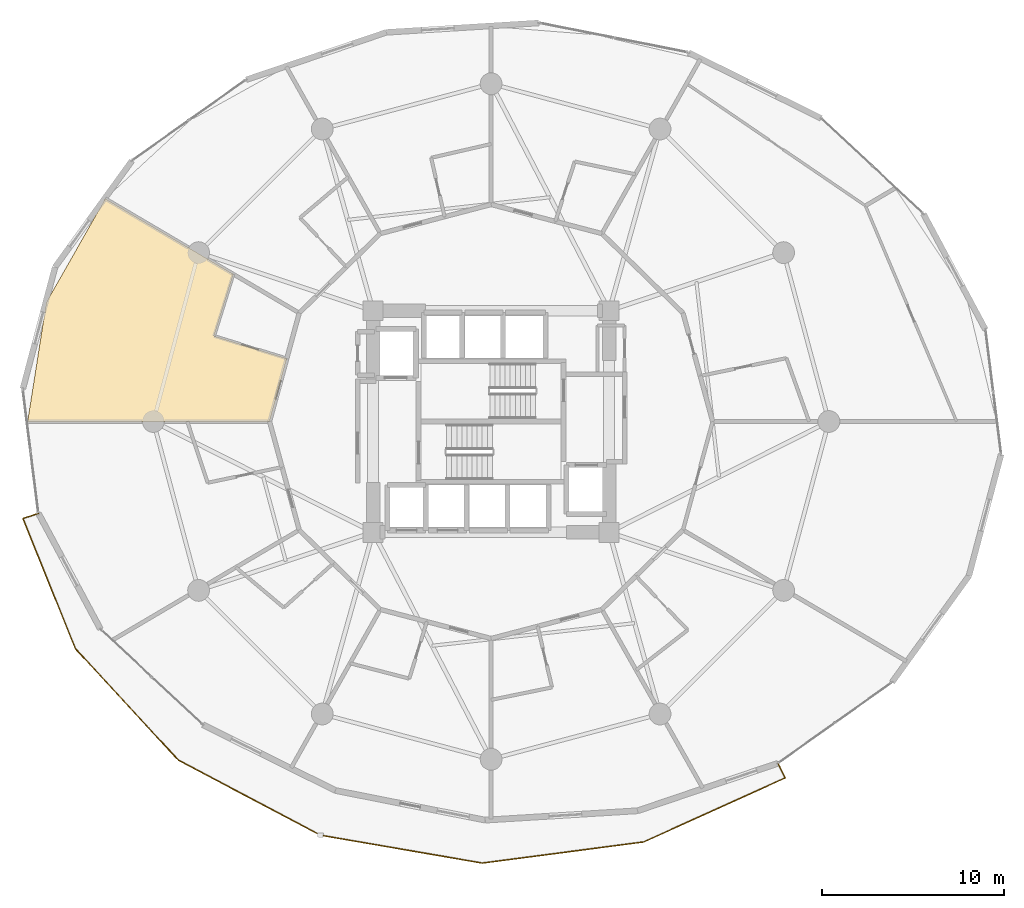
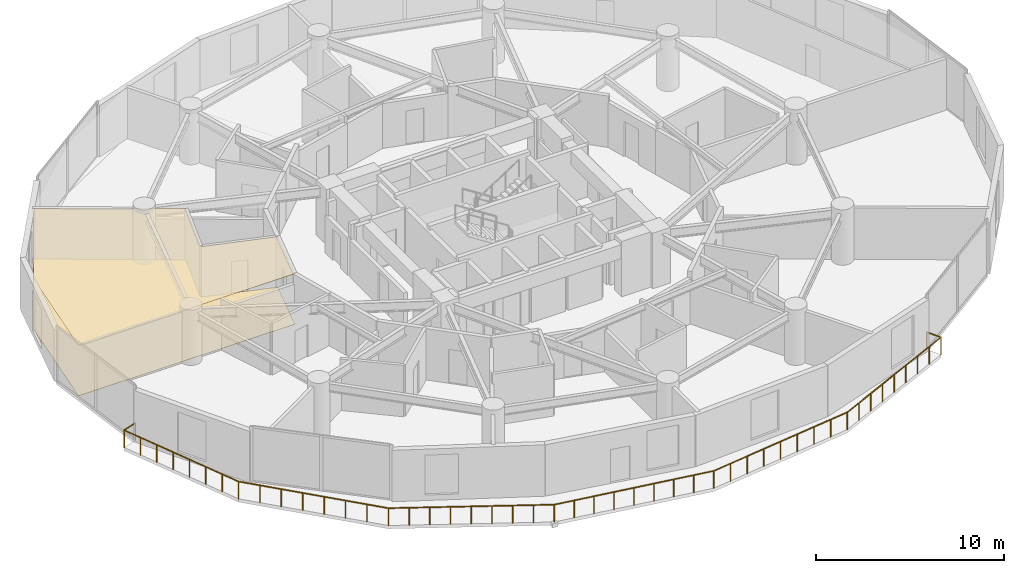
# One storey, part 24 of 26: 2 coverings, 1 railing.
"""IFC4 building model written with IfcOpenShell, lengths in metres."""

from ifc_helpers import new_model, si_unit, direction, frame, origin, origin_2d, place, context, subcontext, project, spatial, polyline, circle, outline, extrude, material, layer, layer_set, type_object, element, save


model = new_model("IFC4")

# Units and contexts
model_context = context("Model", 3, precision=1e-05, world=origin(), true_north=direction((0.0, 1.0)))
body_context = subcontext(model_context, "Body", "Model", "MODEL_VIEW")
ifc_project = project(units=[si_unit("LENGTHUNIT", "METRE"), si_unit("AREAUNIT", "SQUARE_METRE"), si_unit("VOLUMEUNIT", "CUBIC_METRE"), si_unit("PLANEANGLEUNIT", "RADIAN"), si_unit("MASSUNIT", "GRAM", prefix="KILO")], contexts=[model_context])

# Site, building, storey
site_placement = place(None, origin())
site = spatial("IfcSite", under=ifc_project, at=site_placement, CompositionType="ELEMENT")
building_placement = place(site_placement, origin())
building = spatial("IfcBuilding", under=site, at=building_placement, Name="Solvirekh Grand Hotel", CompositionType="ELEMENT")
storey_placement = place(building_placement, frame((0.0, 0.0, 32.0)))
storey = spatial("IfcBuildingStorey", under=building, at=storey_placement, Name="L06", CompositionType="ELEMENT", Elevation=32.0)

# Coverings
ifc_material_1 = material(Name="Acoustic Mineral Ceiling Tile")
ifc_layer_1 = layer(ifc_material_1, 0.02490234375)
ifc_layer_set_1 = layer_set([ifc_layer_1], Name="Acoustic Mineral Ceiling Tile")
covering_type_1 = type_object("IfcCoveringType", Name="Cov_Ceiling_Acoustic", PredefinedType="CEILING", material=ifc_layer_set_1)
covering_1_placement = place(storey_placement, frame((0.0, 0.0, 3.2900390625)))
element("IfcCovering", 1, at=covering_1_placement, inside=storey, type_object=covering_type_1, Name="L06 Deluxe Guestroom 0805 acoustic ceiling", PredefinedType="CEILING", context=body_context, shape_type="SweptSolid", body=[
    extrude(outline(polyline([(-15.260986328125, 4.7060546875), (-14.197021484375, 8.114013671875), (-21.24609375, 12.26611328125), (-24.489013671875, 6.56201171875), (-25.52197265625, 0.0), (-12.199951171875, 0.0), (-11.251953125, 3.466064453125), (-15.260986328125, 4.7060546875)])), origin(), (0.0, 0.0, 1.0), 0.01806640625),
])
ifc_material_2 = material(Name="Porcelain Stoneware Flooring", Category="masonry")
ifc_layer_2 = layer(ifc_material_2, 0.030029296875)
ifc_layer_set_2 = layer_set([ifc_layer_2], Name="Porcelain Stoneware Flooring")
covering_type_2 = type_object("IfcCoveringType", Name="Cov_Floor_Stone", PredefinedType="FLOORING", material=ifc_layer_set_2)
covering_2_placement = place(storey_placement, origin())
element("IfcCovering", 2, at=covering_2_placement, inside=storey, type_object=covering_type_2, Name="L06 Deluxe Guestroom 0805 polished granite flooring", PredefinedType="FLOORING", context=body_context, shape_type="SweptSolid", body=[
    extrude(outline(polyline([(-15.260986328125, 4.7060546875), (-14.197021484375, 8.114013671875), (-21.24609375, 12.26611328125), (-24.489013671875, 6.56201171875), (-25.52197265625, 0.0), (-12.199951171875, 0.0), (-11.251953125, 3.466064453125), (-15.260986328125, 4.7060546875)])), origin(), (0.0, 0.0, 1.0), 0.02001953125),
])

# Railing
ifc_material_3 = material(Name="Anodized Bronze Aluminium 6063-T6", Category="aluminium")
railing_type = type_object("IfcRailingType", Name="Guard_ExtGlass_1150", PredefinedType="BALUSTRADE", material=ifc_material_3)
railing_placement = place(storey_placement, frame((-24.926025390625, -5.06298828125, 0.0)))
element("IfcRailing", 3, at=railing_placement, inside=storey, type_object=railing_type, Name="L06 balc perimeter glass balustrade", PredefinedType="BALUSTRADE", context=body_context, shape_type="SweptSolid", body=[
    extrude(circle(Radius=0.02392578125, at=origin_2d()), frame((0.0, 0.0, 1.1259765625), z_axis=(-0.951491208956, -0.307675932241, 0.0), x_axis=(0.307675932241, -0.951491208956, 0.0)), (0.0, 0.0, 1.0), 0.900634765625),
    extrude(circle(Radius=0.02392578125, at=origin_2d()), frame((-0.85693359375, -0.277099609375, 1.1259765625), z_axis=(0.373767759387, -0.927522324283, 0.0), x_axis=(0.927522324283, 0.373767759387, 0.0)), (0.0, 0.0, 1.0), 7.734375),
    extrude(circle(Radius=0.02392578125, at=origin_2d()), frame((2.033935546875, -7.450927734375, 1.1259765625), z_axis=(0.678810137131, -0.73431382782, 0.0), x_axis=(0.73431382782, 0.678810137131, 0.0)), (0.0, 0.0, 1.0), 8.357421875),
    extrude(circle(Radius=0.02392578125, at=origin_2d()), frame((7.70703125, -13.587890625, 1.1259765625), z_axis=(0.88402774218, -0.467434435034, 0.0), x_axis=(0.467434435034, 0.88402774218, 0.0)), (0.0, 0.0, 1.0), 8.835693359375),
    extrude(circle(Radius=0.02392578125, at=origin_2d()), frame((15.51806640625, -17.718017578125, 1.1259765625), z_axis=(0.985494489382, -0.169707428822, 0.0), x_axis=(0.169707428822, 0.985494489382, 0.0)), (0.0, 0.0, 1.0), 9.057373046875),
    extrude(circle(Radius=0.02392578125, at=origin_2d()), frame((24.444091796875, -19.255126953125, 1.1259765625), z_axis=(0.991519888159, 0.129955036016, 0.0), x_axis=(-0.129955036016, 0.991519888159, 0.0)), (0.0, 0.0, 1.0), 8.96484375),
    extrude(circle(Radius=0.02392578125, at=origin_2d()), frame((33.3330078125, -18.090087890625, 1.1259765625), z_axis=(0.910951144315, 0.412514257536, 0.0), x_axis=(-0.412514257536, 0.910951144315, 0.0)), (0.0, 0.0, 1.0), 8.552734375),
    extrude(circle(Radius=0.02392578125, at=origin_2d()), frame((41.1240234375, -14.56201171875, 1.1259765625), z_axis=(-0.449923556315, 0.893067071094, 0.0), x_axis=(-0.893067071094, -0.449923556315, 0.0)), (0.0, 0.0, 1.0), 0.900146484375),
    extrude(circle(Radius=0.02099609375, at=origin_2d()), origin(), (0.0, 0.0, 1.0), 1.101806640625),
    extrude(circle(Radius=0.02099609375, at=origin_2d()), frame((-0.85693359375, -0.277099609375, 0.0)), (0.0, 0.0, 1.0), 1.101806640625),
    extrude(circle(Radius=0.02099609375, at=origin_2d()), frame((-0.44384765625, -1.302001953125, 0.0)), (0.0, 0.0, 1.0), 1.101806640625),
    extrude(circle(Radius=0.02099609375, at=origin_2d()), frame((-0.031005859375, -2.32666015625, 0.0)), (0.0, 0.0, 1.0), 1.101806640625),
    extrude(circle(Radius=0.02099609375, at=origin_2d()), frame((0.382080078125, -3.3515625, 0.0)), (0.0, 0.0, 1.0), 1.101806640625),
    extrude(circle(Radius=0.02099609375, at=origin_2d()), frame((0.794921875, -4.37646484375, 0.0)), (0.0, 0.0, 1.0), 1.101806640625),
    extrude(circle(Radius=0.02099609375, at=origin_2d()), frame((1.2080078125, -5.4013671875, 0.0)), (0.0, 0.0, 1.0), 1.101806640625),
    extrude(circle(Radius=0.02099609375, at=origin_2d()), frame((1.620849609375, -6.426025390625, 0.0)), (0.0, 0.0, 1.0), 1.101806640625),
    extrude(circle(Radius=0.02099609375, at=origin_2d()), frame((2.033935546875, -7.450927734375, 0.0)), (0.0, 0.0, 1.0), 1.101806640625),
    extrude(circle(Radius=0.02099609375, at=origin_2d()), frame((2.844482421875, -8.32763671875, 0.0)), (0.0, 0.0, 1.0), 1.101806640625),
    extrude(circle(Radius=0.02099609375, at=origin_2d()), frame((3.65478515625, -9.204345703125, 0.0)), (0.0, 0.0, 1.0), 1.101806640625),
    extrude(circle(Radius=0.02099609375, at=origin_2d()), frame((4.46533203125, -10.0810546875, 0.0)), (0.0, 0.0, 1.0), 1.101806640625),
    extrude(circle(Radius=0.02099609375, at=origin_2d()), frame((5.275634765625, -10.957763671875, 0.0)), (0.0, 0.0, 1.0), 1.101806640625),
    extrude(circle(Radius=0.02099609375, at=origin_2d()), frame((6.086181640625, -11.83447265625, 0.0)), (0.0, 0.0, 1.0), 1.101806640625),
    extrude(circle(Radius=0.02099609375, at=origin_2d()), frame((6.896484375, -12.711181640625, 0.0)), (0.0, 0.0, 1.0), 1.101806640625),
    extrude(circle(Radius=0.02099609375, at=origin_2d()), frame((7.70703125, -13.587890625, 0.0)), (0.0, 0.0, 1.0), 1.101806640625),
    extrude(circle(Radius=0.02099609375, at=origin_2d()), frame((8.683349609375, -14.104248046875, 0.0)), (0.0, 0.0, 1.0), 1.101806640625),
    extrude(circle(Radius=0.02099609375, at=origin_2d()), frame((9.65966796875, -14.620361328125, 0.0)), (0.0, 0.0, 1.0), 1.101806640625),
    extrude(circle(Radius=0.02099609375, at=origin_2d()), frame((10.63623046875, -15.13671875, 0.0)), (0.0, 0.0, 1.0), 1.101806640625),
    extrude(circle(Radius=0.02099609375, at=origin_2d()), frame((11.612548828125, -15.65283203125, 0.0)), (0.0, 0.0, 1.0), 1.101806640625),
    extrude(circle(Radius=0.02099609375, at=origin_2d()), frame((12.5888671875, -16.169189453125, 0.0)), (0.0, 0.0, 1.0), 1.101806640625),
    extrude(circle(Radius=0.02099609375, at=origin_2d()), frame((13.5654296875, -16.685546875, 0.0)), (0.0, 0.0, 1.0), 1.101806640625),
    extrude(circle(Radius=0.02099609375, at=origin_2d()), frame((14.541748046875, -17.20166015625, 0.0)), (0.0, 0.0, 1.0), 1.101806640625),
    extrude(circle(Radius=0.02099609375, at=origin_2d()), frame((15.51806640625, -17.718017578125, 0.0)), (0.0, 0.0, 1.0), 1.101806640625),
    extrude(circle(Radius=0.02099609375, at=origin_2d()), frame((16.6337890625, -17.91015625, 0.0)), (0.0, 0.0, 1.0), 1.101806640625),
    extrude(circle(Radius=0.02099609375, at=origin_2d()), frame((17.74951171875, -18.102294921875, 0.0)), (0.0, 0.0, 1.0), 1.101806640625),
    extrude(circle(Radius=0.02099609375, at=origin_2d()), frame((18.865234375, -18.29443359375, 0.0)), (0.0, 0.0, 1.0), 1.101806640625),
    extrude(circle(Radius=0.02099609375, at=origin_2d()), frame((19.98095703125, -18.486572265625, 0.0)), (0.0, 0.0, 1.0), 1.101806640625),
    extrude(circle(Radius=0.02099609375, at=origin_2d()), frame((21.096923828125, -18.6787109375, 0.0)), (0.0, 0.0, 1.0), 1.101806640625),
    extrude(circle(Radius=0.02099609375, at=origin_2d()), frame((22.212646484375, -18.870849609375, 0.0)), (0.0, 0.0, 1.0), 1.101806640625),
    extrude(circle(Radius=0.02099609375, at=origin_2d()), frame((23.328369140625, -19.06298828125, 0.0)), (0.0, 0.0, 1.0), 1.101806640625),
    extrude(circle(Radius=0.02099609375, at=origin_2d()), frame((24.444091796875, -19.255126953125, 0.0)), (0.0, 0.0, 1.0), 1.101806640625),
    extrude(circle(Radius=0.02099609375, at=origin_2d()), frame((25.55517578125, -19.109375, 0.0)), (0.0, 0.0, 1.0), 1.101806640625),
    extrude(circle(Radius=0.02099609375, at=origin_2d()), frame((26.666259765625, -18.9638671875, 0.0)), (0.0, 0.0, 1.0), 1.101806640625),
    extrude(circle(Radius=0.02099609375, at=origin_2d()), frame((27.77734375, -18.818359375, 0.0)), (0.0, 0.0, 1.0), 1.101806640625),
    extrude(circle(Radius=0.02099609375, at=origin_2d()), frame((28.888671875, -18.672607421875, 0.0)), (0.0, 0.0, 1.0), 1.101806640625),
    extrude(circle(Radius=0.02099609375, at=origin_2d()), frame((29.999755859375, -18.52685546875, 0.0)), (0.0, 0.0, 1.0), 1.101806640625),
    extrude(circle(Radius=0.02099609375, at=origin_2d()), frame((31.11083984375, -18.38134765625, 0.0)), (0.0, 0.0, 1.0), 1.101806640625),
    extrude(circle(Radius=0.02099609375, at=origin_2d()), frame((32.221923828125, -18.23583984375, 0.0)), (0.0, 0.0, 1.0), 1.101806640625),
    extrude(circle(Radius=0.02099609375, at=origin_2d()), frame((33.3330078125, -18.090087890625, 0.0)), (0.0, 0.0, 1.0), 1.101806640625),
    extrude(circle(Radius=0.02099609375, at=origin_2d()), frame((34.306884765625, -17.649169921875, 0.0)), (0.0, 0.0, 1.0), 1.101806640625),
    extrude(circle(Radius=0.02099609375, at=origin_2d()), frame((35.28076171875, -17.2080078125, 0.0)), (0.0, 0.0, 1.0), 1.101806640625),
    extrude(circle(Radius=0.02099609375, at=origin_2d()), frame((36.254638671875, -16.76708984375, 0.0)), (0.0, 0.0, 1.0), 1.101806640625),
    extrude(circle(Radius=0.02099609375, at=origin_2d()), frame((37.228515625, -16.326171875, 0.0)), (0.0, 0.0, 1.0), 1.101806640625),
    extrude(circle(Radius=0.02099609375, at=origin_2d()), frame((38.202392578125, -15.885009765625, 0.0)), (0.0, 0.0, 1.0), 1.101806640625),
    extrude(circle(Radius=0.02099609375, at=origin_2d()), frame((39.17626953125, -15.444091796875, 0.0)), (0.0, 0.0, 1.0), 1.101806640625),
    extrude(circle(Radius=0.02099609375, at=origin_2d()), frame((40.150146484375, -15.0029296875, 0.0)), (0.0, 0.0, 1.0), 1.101806640625),
    extrude(circle(Radius=0.02099609375, at=origin_2d()), frame((41.1240234375, -14.56201171875, 0.0)), (0.0, 0.0, 1.0), 1.101806640625),
    extrude(circle(Radius=0.02099609375, at=origin_2d()), frame((40.718994140625, -13.758056640625, 0.0)), (0.0, 0.0, 1.0), 1.101806640625),
])

save(model, "model.ifc")
